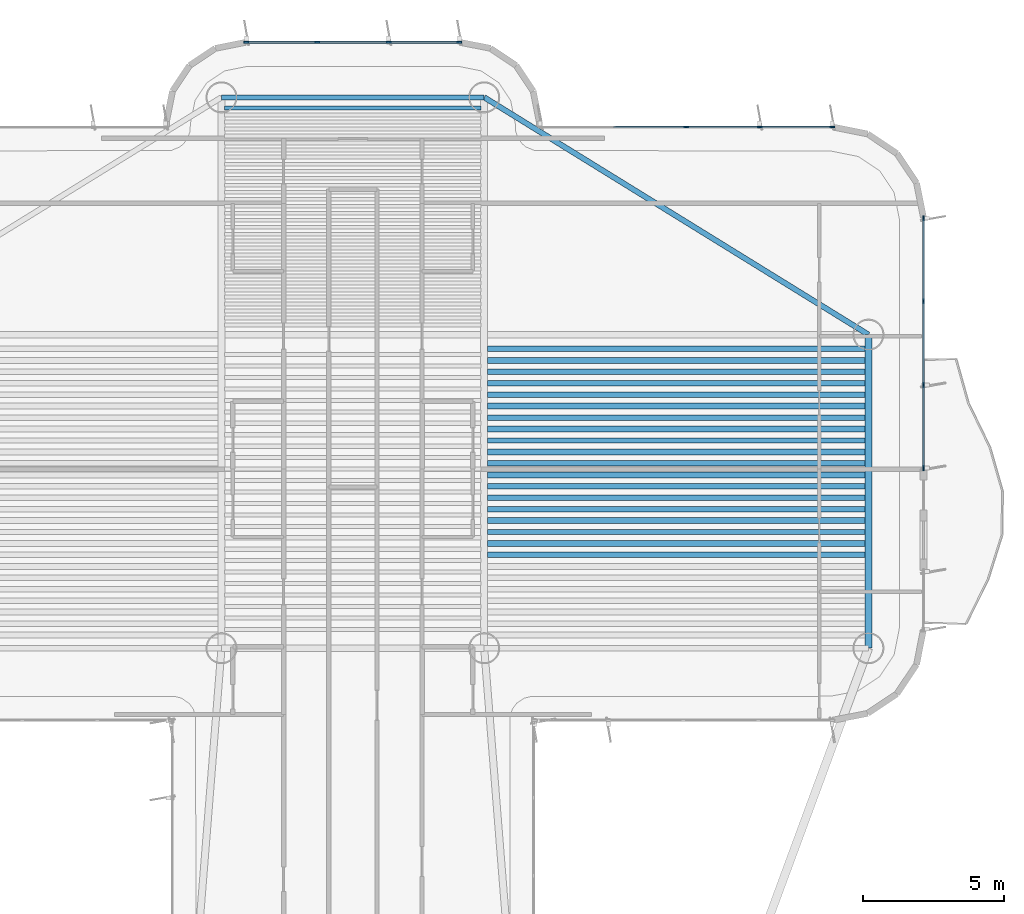
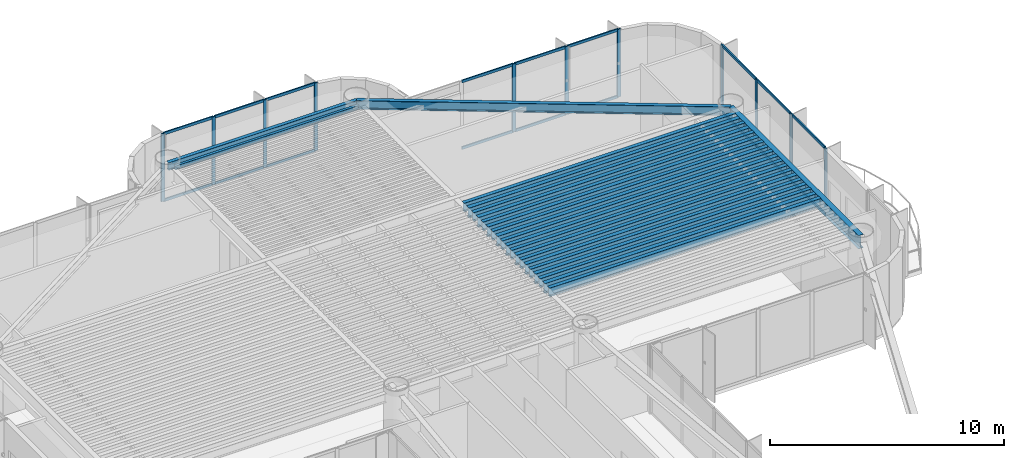
# One storey, part 7 of 15: 29 members, 23 beams, 3 elements without a shape of their own.
"""IFC4 building model written with IfcOpenShell, lengths in metres."""

from ifc_helpers import new_model, si_unit, direction, frame, origin, origin_2d, place, context, subcontext, project, spatial, rectangle, i_section, extrude, source, transform, mapped, material, layer, layer_set, material_profile, profile_set, type_object, element, aggregate, save


model = new_model("IFC4")

# Units and contexts
model_context = context("Model", 3, precision=1e-05, world=origin(), true_north=direction((0.0, 1.0)))
body_context = subcontext(model_context, "Body", "Model", "MODEL_VIEW")
ifc_project = project(units=[si_unit("LENGTHUNIT", "METRE"), si_unit("AREAUNIT", "SQUARE_METRE"), si_unit("VOLUMEUNIT", "CUBIC_METRE"), si_unit("PLANEANGLEUNIT", "RADIAN"), si_unit("MASSUNIT", "GRAM", prefix="KILO")], contexts=[model_context])

# Site, building, storey
site_placement = place(None, origin())
site = spatial("IfcSite", under=ifc_project, at=site_placement, CompositionType="ELEMENT")
building_placement = place(site_placement, origin())
building = spatial("IfcBuilding", under=site, at=building_placement, Name="Brelvock Crest Care Tower", CompositionType="ELEMENT")
storey_placement = place(building_placement, frame((0.0, 0.0, 163.97998046875)))
storey = spatial("IfcBuildingStorey", under=building, at=storey_placement, Name="L41", CompositionType="ELEMENT", Elevation=163.97998046875)

# Beams
ifc_material_1 = material(Name="Steel Grade 350", Category="steel")
ifc_material_profile_1 = material_profile(ifc_material_1, i_section(OverallWidth=0.177978515625, OverallDepth=0.406005859375, WebThickness=0.0078125, FlangeThickness=0.0126953125, FilletRadius=0.011474609375, at=origin_2d()), Name="410UB59.7")
ifc_profile_set_1 = profile_set([ifc_material_profile_1], Name="Steel Grade 350")
beam_type_1 = type_object("IfcBeamType", Name="BM-SP1", PredefinedType="SPANDREL", material=ifc_profile_set_1)
shared_shape_1 = source(origin(), body_context, "Body", "SweptSolid", [
    extrude(i_section(OverallWidth=0.177978515625, OverallDepth=0.406005859375, WebThickness=0.0078125, FlangeThickness=0.0126953125, FilletRadius=0.011474609375, at=origin_2d()), origin(), (0.0, 0.0, 1.0), 9.2998046875),
])
beam_1_placement = place(storey_placement, frame((31.35009765625, 54.449951171875, 3.326904296875), z_axis=(1.0, 0.0, 0.0), x_axis=(0.0, 1.0, 0.0)))
element("IfcBeam", 1, at=beam_1_placement, inside=storey, type_object=beam_type_1, Name="BM-TWR-L41-08", PredefinedType="SPANDREL", context=body_context, shape_type="MappedRepresentation", body=[
    mapped(shared_shape_1, transform((0.0, 0.0, 0.0), x_axis=(1.0, 0.0, 0.0), y_axis=(0.0, 1.0, 0.0), z_axis=(0.0, 0.0, 1.0), scale=1.0)),
])
ifc_material_profile_2 = material_profile(ifc_material_1, i_section(OverallWidth=0.134033203125, OverallDepth=0.20703125, WebThickness=0.00634765625, FlangeThickness=0.009521484375, FilletRadius=0.0087890625, at=origin_2d()), Name="200UB29.8")
ifc_profile_set_2 = profile_set([ifc_material_profile_2], Name="Steel Grade 350")
beam_type_2 = type_object("IfcBeamType", Name="BM-J4", PredefinedType="JOIST", material=ifc_profile_set_2)
shared_shape_2 = source(origin(), body_context, "Body", "SweptSolid", [
    extrude(i_section(OverallWidth=0.134033203125, OverallDepth=0.20703125, WebThickness=0.00634765625, FlangeThickness=0.009521484375, FilletRadius=0.0087890625, at=origin_2d()), origin(), (0.0, 0.0, 1.0), 9.06982421875),
])
beam_2_placement = place(storey_placement, frame((31.465087890625, 54.06787109375, 3.426513671875), z_axis=(1.0, 0.0, 0.0), x_axis=(0.0, 1.0, 0.0)))
element("IfcBeam", 2, at=beam_2_placement, inside=storey, type_object=beam_type_2, Name="BM-JN-L41-32", PredefinedType="JOIST", context=body_context, shape_type="MappedRepresentation", body=[
    mapped(shared_shape_2, transform((0.0, 0.0, 0.0), x_axis=(1.0, 0.0, 0.0), y_axis=(0.0, 1.0, 0.0), z_axis=(0.0, 0.0, 1.0), scale=1.0)),
])
ifc_material_profile_3 = material_profile(ifc_material_1, i_section(OverallWidth=0.208984375, OverallDepth=0.532958984375, WebThickness=0.01025390625, FlangeThickness=0.015625, FilletRadius=0.013916015625, at=origin_2d()), Name="530UB92.4")
ifc_profile_set_3 = profile_set([ifc_material_profile_3], Name="Steel Grade 350")
beam_type_3 = type_object("IfcBeamType", Name="BM-G2", PredefinedType="BEAM", material=ifc_profile_set_3)
shared_shape_3 = source(origin(), body_context, "Body", "SweptSolid", [
    extrude(i_section(OverallWidth=0.208984375, OverallDepth=0.532958984375, WebThickness=0.01025390625, FlangeThickness=0.015625, FilletRadius=0.013916015625, at=origin_2d()), origin(), (0.0, 0.0, 1.0), 13.3701171875),
])
for number, where, z_axis, x_axis, name in (
    (3, (40.764892578125, 38.657470703125, 3.263427734375), (1.0, 0.0, 0.0), (0.0, 1.0, 0.0), "BM-JE-L41-9"),
    (4, (40.764892578125, 39.4677734375, 3.263427734375), (1.0, 0.0, 0.0), (0.0, 1.0, 0.0), "BM-JE-L41-11"),
    (5, (40.764892578125, 40.278076171875, 3.263427734375), (1.0, 0.0, 0.0), (0.0, 1.0, 0.0), "BM-JE-L41-13"),
    (6, (40.764892578125, 41.08837890625, 3.263427734375), (1.0, 0.0, 0.0), (0.0, 1.0, 0.0), "BM-JE-L41-15"),
    (7, (40.764892578125, 41.898681640625, 3.263427734375), (1.0, 0.0, 0.0), (0.0, 1.0, 0.0), "BM-JE-L41-17"),
    (8, (40.764892578125, 42.708984375, 3.263427734375), (1.0, 0.0, 0.0), (0.0, 1.0, 0.0), "BM-JE-L41-19"),
    (9, (40.764892578125, 43.519287109375, 3.263427734375), (1.0, 0.0, 0.0), (0.0, 1.0, 0.0), "BM-JE-L41-21"),
    (10, (40.764892578125, 44.32958984375, 3.263427734375), (1.0, 0.0, 0.0), (0.0, 1.0, 0.0), "BM-JE-L41-23"),
    (11, (40.764892578125, 45.139892578125, 3.263427734375), (1.0, 0.0, 0.0), (0.0, 1.0, 0.0), "BM-JE-L41-25"),
):
    element("IfcBeam", number, at=place(storey_placement, frame(where, z_axis=z_axis, x_axis=x_axis)), inside=storey, type_object=beam_type_3, Name=name, PredefinedType="BEAM", context=body_context, shape_type="MappedRepresentation", body=[
        mapped(shared_shape_3, transform((0.0, 0.0, 0.0), x_axis=(1.0, 0.0, 0.0), y_axis=(0.0, 1.0, 0.0), z_axis=(0.0, 0.0, 1.0), scale=1.0)),
    ])
ifc_material_profile_4 = material_profile(ifc_material_1, i_section(OverallWidth=0.19091796875, OverallDepth=0.4599609375, WebThickness=0.010009765625, FlangeThickness=0.01611328125, FilletRadius=0.011474609375, at=origin_2d()), Name="460UB82.1")
ifc_profile_set_4 = profile_set([ifc_material_profile_4], Name="Steel Grade 350")
beam_type_4 = type_object("IfcBeamType", Name="BM-G3", PredefinedType="BEAM", material=ifc_profile_set_4)
shared_shape_4 = source(origin(), body_context, "Body", "SweptSolid", [
    extrude(i_section(OverallWidth=0.19091796875, OverallDepth=0.4599609375, WebThickness=0.010009765625, FlangeThickness=0.01611328125, FilletRadius=0.011474609375, at=origin_2d()), origin(), (0.0, 0.0, 1.0), 13.3701171875),
])
for number, where, z_axis, x_axis, name in (
    (12, (40.764892578125, 38.252197265625, 3.300048828125), (1.0, 0.0, 0.0), (0.0, 1.0, 0.0), "BM-JE-L41-8"),
    (13, (40.764892578125, 39.0625, 3.300048828125), (1.0, 0.0, 0.0), (0.0, 1.0, 0.0), "BM-JE-L41-10"),
    (14, (40.764892578125, 39.872802734375, 3.300048828125), (1.0, 0.0, 0.0), (0.0, 1.0, 0.0), "BM-JE-L41-12"),
    (15, (40.764892578125, 40.68310546875, 3.300048828125), (1.0, 0.0, 0.0), (0.0, 1.0, 0.0), "BM-JE-L41-14"),
    (16, (40.764892578125, 41.493408203125, 3.300048828125), (1.0, 0.0, 0.0), (0.0, 1.0, 0.0), "BM-JE-L41-16"),
    (17, (40.764892578125, 42.3037109375, 3.300048828125), (1.0, 0.0, 0.0), (0.0, 1.0, 0.0), "BM-JE-L41-18"),
    (18, (40.764892578125, 43.114013671875, 3.300048828125), (1.0, 0.0, 0.0), (0.0, 1.0, 0.0), "BM-JE-L41-20"),
    (19, (40.764892578125, 43.92431640625, 3.300048828125), (1.0, 0.0, 0.0), (0.0, 1.0, 0.0), "BM-JE-L41-22"),
    (20, (40.764892578125, 44.734619140625, 3.300048828125), (1.0, 0.0, 0.0), (0.0, 1.0, 0.0), "BM-JE-L41-24"),
    (21, (40.764892578125, 45.544921875, 3.300048828125), (1.0, 0.0, 0.0), (0.0, 1.0, 0.0), "BM-JE-L41-26"),
):
    element("IfcBeam", number, at=place(storey_placement, frame(where, z_axis=z_axis, x_axis=x_axis)), inside=storey, type_object=beam_type_4, Name=name, PredefinedType="BEAM", context=body_context, shape_type="MappedRepresentation", body=[
        mapped(shared_shape_4, transform((0.0, 0.0, 0.0), x_axis=(1.0, 0.0, 0.0), y_axis=(0.0, 1.0, 0.0), z_axis=(0.0, 0.0, 1.0), scale=1.0)),
    ])
ifc_material_profile_5 = material_profile(ifc_material_1, i_section(OverallWidth=0.25, OverallDepth=0.699951171875, WebThickness=0.011962890625, FlangeThickness=0.02001953125, at=origin_2d()), Name="700WB150")
ifc_profile_set_5 = profile_set([ifc_material_profile_5], Name="Steel Grade 350")
beam_type_5 = type_object("IfcBeamType", Name="BM-G4", PredefinedType="BEAM", material=ifc_profile_set_5)
shared_shape_5 = source(origin(), body_context, "Body", "SweptSolid", [
    extrude(i_section(OverallWidth=0.25, OverallDepth=0.699951171875, WebThickness=0.011962890625, FlangeThickness=0.02001953125, at=origin_2d()), origin(), (0.0, 0.0, 1.0), 11.10009765625),
])
beam_3_placement = place(storey_placement, frame((54.25, 34.949951171875, 3.179931640625), z_axis=(0.0, 1.0, 0.0), x_axis=(-1.0, 0.0, 0.0)))
element("IfcBeam", 22, at=beam_3_placement, inside=storey, type_object=beam_type_5, Name="BM-TWR-L41-02", PredefinedType="BEAM", context=body_context, shape_type="MappedRepresentation", body=[
    mapped(shared_shape_5, transform((0.0, 0.0, 0.0), x_axis=(1.0, 0.0, 0.0), y_axis=(0.0, 1.0, 0.0), z_axis=(0.0, 0.0, 1.0), scale=1.0)),
])
ifc_material_profile_6 = material_profile(ifc_material_1, i_section(OverallWidth=0.19091796875, OverallDepth=0.4599609375, WebThickness=0.010009765625, FlangeThickness=0.01611328125, FilletRadius=0.011474609375, at=origin_2d()), Name="460UB82.1")
ifc_profile_set_6 = profile_set([ifc_material_profile_6], Name="Steel Grade 350")
beam_type_6 = type_object("IfcBeamType", Name="BM-SP2", PredefinedType="SPANDREL", material=ifc_profile_set_6)
shared_shape_6 = source(origin(), body_context, "Body", "SweptSolid", [
    extrude(i_section(OverallWidth=0.19091796875, OverallDepth=0.4599609375, WebThickness=0.010009765625, FlangeThickness=0.01611328125, FilletRadius=0.011474609375, at=origin_2d()), origin(), (0.0, 0.0, 1.0), 15.985107421875),
])
beam_4_placement = place(storey_placement, frame((40.64990234375, 54.449951171875, 3.300048828125), z_axis=(0.850802415717, -0.525485727124, 0.0), x_axis=(0.525485727124, 0.850802415717, 0.0)))
element("IfcBeam", 23, at=beam_4_placement, inside=storey, type_object=beam_type_6, Name="BM-TWR-L41-07", PredefinedType="SPANDREL", context=body_context, shape_type="MappedRepresentation", body=[
    mapped(shared_shape_6, transform((0.0, 0.0, 0.0), x_axis=(1.0, 0.0, 0.0), y_axis=(0.0, 1.0, 0.0), z_axis=(0.0, 0.0, 1.0), scale=1.0)),
])

# Curtain wall, members
ifc_material_2 = material(Name="Dark Glass Double Glazed Low-E", Category="glass")
ifc_layer = layer(ifc_material_2, 0.22509765625, Name="CWS-4")
ifc_layer_set = layer_set([ifc_layer], Name="Dark Glass Double Glazed Low-E")
curtain_wall_type = type_object("IfcCurtainWallType", Name="CWS-4", PredefinedType="NOTDEFINED", material=ifc_layer_set)
curtain_wall_1_placement = place(storey_placement, origin())
curtain_wall_1 = element("IfcCurtainWall", 24, at=curtain_wall_1_placement, inside=storey, type_object=curtain_wall_type, Name="L41 Curtain Wall E28", PredefinedType="NOTDEFINED")
ifc_material_3 = material(Name="Aluminium 6063-T6", Category="aluminium")
ifc_material_profile_7 = material_profile(ifc_material_3, rectangle(XDim=0.06005859375, YDim=0.179931640625, at=origin_2d()), Name="ALU60x180")
ifc_profile_set_7 = profile_set([ifc_material_profile_7], Name="Aluminium 6063-T6")
member_type_1 = type_object("IfcMemberType", Name="CWM-2", PredefinedType="MULLION", material=ifc_profile_set_7)
shared_shape_7 = source(origin(), body_context, "Body", "SweptSolid", [
    extrude(rectangle(XDim=0.06005859375, YDim=0.179931640625, at=origin_2d()), origin(), (0.0, 0.0, 1.0), 3.530029296875),
])
member_1_placement = place(storey_placement, frame((32.22998046875, 56.39990234375, 0.0), z_axis=(0.0, 0.0, 1.0), x_axis=(0.0, 1.0, 0.0)))
member_1 = element("IfcMember", 25, at=member_1_placement, type_object=member_type_1, Name="CW-4 mullion 1", PredefinedType="MULLION", context=body_context, shape_type="MappedRepresentation", body=[
    mapped(shared_shape_7, transform((0.0, 0.0, 0.0), x_axis=(1.0, 0.0, 0.0), y_axis=(0.0, 1.0, 0.0), z_axis=(0.0, 0.0, 1.0), scale=1.0)),
])
member_2_placement = place(storey_placement, frame((34.7333984375, 56.39990234375, 0.0), z_axis=(0.0, 0.0, 1.0), x_axis=(0.0, 1.0, 0.0)))
member_2 = element("IfcMember", 26, at=member_2_placement, type_object=member_type_1, Name="CW-4 mullion 2", PredefinedType="MULLION", context=body_context, shape_type="MappedRepresentation", body=[
    mapped(shared_shape_7, transform((0.0, 0.0, 0.0), x_axis=(1.0, 0.0, 0.0), y_axis=(0.0, 1.0, 0.0), z_axis=(0.0, 0.0, 1.0), scale=1.0)),
])
member_3_placement = place(storey_placement, frame((37.2666015625, 56.39990234375, 0.0), z_axis=(0.0, 0.0, 1.0), x_axis=(0.0, 1.0, 0.0)))
member_3 = element("IfcMember", 27, at=member_3_placement, type_object=member_type_1, Name="CW-4 mullion 3", PredefinedType="MULLION", context=body_context, shape_type="MappedRepresentation", body=[
    mapped(shared_shape_7, transform((0.0, 0.0, 0.0), x_axis=(1.0, 0.0, 0.0), y_axis=(0.0, 1.0, 0.0), z_axis=(0.0, 0.0, 1.0), scale=1.0)),
])
member_4_placement = place(storey_placement, frame((39.77001953125, 56.39990234375, 0.0), z_axis=(0.0, 0.0, 1.0), x_axis=(0.0, 1.0, 0.0)))
member_4 = element("IfcMember", 28, at=member_4_placement, type_object=member_type_1, Name="CW-4 mullion 4", PredefinedType="MULLION", context=body_context, shape_type="MappedRepresentation", body=[
    mapped(shared_shape_7, transform((0.0, 0.0, 0.0), x_axis=(1.0, 0.0, 0.0), y_axis=(0.0, 1.0, 0.0), z_axis=(0.0, 0.0, 1.0), scale=1.0)),
])

curtain_wall_2_placement = place(storey_placement, origin())
curtain_wall_2 = element("IfcCurtainWall", 29, at=curtain_wall_2_placement, inside=storey, type_object=curtain_wall_type, Name="L41 Curtain Wall E34", PredefinedType="NOTDEFINED")
member_5_placement = place(storey_placement, frame((47.800048828125, 53.39990234375, 0.0), z_axis=(0.0, 0.0, 1.0), x_axis=(0.0, 1.0, 0.0)))
member_5 = element("IfcMember", 30, at=member_5_placement, type_object=member_type_1, Name="CW-4 mullion 3", PredefinedType="MULLION", context=body_context, shape_type="MappedRepresentation", body=[
    mapped(shared_shape_7, transform((0.0, 0.0, 0.0), x_axis=(1.0, 0.0, 0.0), y_axis=(0.0, 1.0, 0.0), z_axis=(0.0, 0.0, 1.0), scale=1.0)),
])
member_6_placement = place(storey_placement, frame((50.39990234375, 53.39990234375, 0.0), z_axis=(0.0, 0.0, 1.0), x_axis=(0.0, 1.0, 0.0)))
member_6 = element("IfcMember", 31, at=member_6_placement, type_object=member_type_1, Name="CW-4 mullion 4", PredefinedType="MULLION", context=body_context, shape_type="MappedRepresentation", body=[
    mapped(shared_shape_7, transform((0.0, 0.0, 0.0), x_axis=(1.0, 0.0, 0.0), y_axis=(0.0, 1.0, 0.0), z_axis=(0.0, 0.0, 1.0), scale=1.0)),
])
member_7_placement = place(storey_placement, frame((52.969970703125, 53.39990234375, 0.0), z_axis=(0.0, 0.0, 1.0), x_axis=(0.0, 1.0, 0.0)))
member_7 = element("IfcMember", 32, at=member_7_placement, type_object=member_type_1, Name="CW-4 mullion 5", PredefinedType="MULLION", context=body_context, shape_type="MappedRepresentation", body=[
    mapped(shared_shape_7, transform((0.0, 0.0, 0.0), x_axis=(1.0, 0.0, 0.0), y_axis=(0.0, 1.0, 0.0), z_axis=(0.0, 0.0, 1.0), scale=1.0)),
])

curtain_wall_3_placement = place(storey_placement, origin())
curtain_wall_3 = element("IfcCurtainWall", 33, at=curtain_wall_3_placement, inside=storey, type_object=curtain_wall_type, Name="L41 Curtain Wall E39A", PredefinedType="NOTDEFINED")
member_8_placement = place(storey_placement, frame((56.199951171875, 50.169921875, 0.0), z_axis=(0.0, 0.0, 1.0), x_axis=(1.0, 0.0, 0.0)))
member_8 = element("IfcMember", 34, at=member_8_placement, type_object=member_type_1, Name="CW-4 mullion 1", PredefinedType="MULLION", context=body_context, shape_type="MappedRepresentation", body=[
    mapped(shared_shape_7, transform((0.0, 0.0, 0.0), x_axis=(1.0, 0.0, 0.0), y_axis=(0.0, 1.0, 0.0), z_axis=(0.0, 0.0, 1.0), scale=1.0)),
])
member_9_placement = place(storey_placement, frame((56.199951171875, 47.2333984375, 0.0), z_axis=(0.0, 0.0, 1.0), x_axis=(1.0, 0.0, 0.0)))
member_9 = element("IfcMember", 35, at=member_9_placement, type_object=member_type_1, Name="CW-4 mullion 2", PredefinedType="MULLION", context=body_context, shape_type="MappedRepresentation", body=[
    mapped(shared_shape_7, transform((0.0, 0.0, 0.0), x_axis=(1.0, 0.0, 0.0), y_axis=(0.0, 1.0, 0.0), z_axis=(0.0, 0.0, 1.0), scale=1.0)),
])
member_10_placement = place(storey_placement, frame((56.199951171875, 44.2666015625, 0.0), z_axis=(0.0, 0.0, 1.0), x_axis=(1.0, 0.0, 0.0)))
member_10 = element("IfcMember", 36, at=member_10_placement, type_object=member_type_1, Name="CW-4 mullion 3", PredefinedType="MULLION", context=body_context, shape_type="MappedRepresentation", body=[
    mapped(shared_shape_7, transform((0.0, 0.0, 0.0), x_axis=(1.0, 0.0, 0.0), y_axis=(0.0, 1.0, 0.0), z_axis=(0.0, 0.0, 1.0), scale=1.0)),
])
member_11_placement = place(storey_placement, frame((56.199951171875, 41.330078125, 0.0), z_axis=(0.0, 0.0, 1.0), x_axis=(1.0, 0.0, 0.0)))
member_11 = element("IfcMember", 37, at=member_11_placement, type_object=member_type_1, Name="CW-4 mullion 4", PredefinedType="MULLION", context=body_context, shape_type="MappedRepresentation", body=[
    mapped(shared_shape_7, transform((0.0, 0.0, 0.0), x_axis=(1.0, 0.0, 0.0), y_axis=(0.0, 1.0, 0.0), z_axis=(0.0, 0.0, 1.0), scale=1.0)),
])

# Member
ifc_material_profile_8 = material_profile(ifc_material_3, rectangle(XDim=0.06005859375, YDim=0.139892578125, at=origin_2d()), Name="ALU60x140")
ifc_profile_set_8 = profile_set([ifc_material_profile_8], Name="Aluminium 6063-T6")
member_type_2 = type_object("IfcMemberType", Name="CWT-2", PredefinedType="USERDEFINED", material=ifc_profile_set_8)
shared_shape_8 = source(origin(), body_context, "Body", "SweptSolid", [
    extrude(rectangle(XDim=0.06005859375, YDim=0.139892578125, at=origin_2d()), origin(), (0.0, 0.0, 1.0), 2.443359375),
])
member_12_placement = place(storey_placement, frame((32.260009765625, 56.39990234375, 0.030029296875), z_axis=(1.0, 0.0, 0.0), x_axis=(0.0, 1.0, 0.0)))
member_12 = element("IfcMember", 38, at=member_12_placement, type_object=member_type_2, Name="CW-4 transom 1.1", ObjectType="TRANSOM", PredefinedType="USERDEFINED", context=body_context, shape_type="MappedRepresentation", body=[
    mapped(shared_shape_8, transform((0.0, 0.0, 0.0), x_axis=(1.0, 0.0, 0.0), y_axis=(0.0, 1.0, 0.0), z_axis=(0.0, 0.0, 1.0), scale=1.0)),
])

member_13_placement = place(storey_placement, frame((32.260009765625, 56.39990234375, 3.5), z_axis=(1.0, 0.0, 0.0), x_axis=(0.0, 1.0, 0.0)))
member_13 = element("IfcMember", 39, at=member_13_placement, type_object=member_type_2, Name="CW-4 transom 1.2", ObjectType="TRANSOM", PredefinedType="USERDEFINED", context=body_context, shape_type="MappedRepresentation", body=[
    mapped(shared_shape_8, transform((0.0, 0.0, 0.0), x_axis=(1.0, 0.0, 0.0), y_axis=(0.0, 1.0, 0.0), z_axis=(0.0, 0.0, 1.0), scale=1.0)),
])

member_14_placement = place(storey_placement, frame((37.296630859375, 56.39990234375, 0.030029296875), z_axis=(1.0, 0.0, 0.0), x_axis=(0.0, 1.0, 0.0)))
member_14 = element("IfcMember", 40, at=member_14_placement, type_object=member_type_2, Name="CW-4 transom 3.1", ObjectType="TRANSOM", PredefinedType="USERDEFINED", context=body_context, shape_type="MappedRepresentation", body=[
    mapped(shared_shape_8, transform((0.0, 0.0, 0.0), x_axis=(1.0, 0.0, 0.0), y_axis=(0.0, 1.0, 0.0), z_axis=(0.0, 0.0, 1.0), scale=1.0)),
])

member_15_placement = place(storey_placement, frame((37.296630859375, 56.39990234375, 3.5), z_axis=(1.0, 0.0, 0.0), x_axis=(0.0, 1.0, 0.0)))
member_15 = element("IfcMember", 41, at=member_15_placement, type_object=member_type_2, Name="CW-4 transom 3.2", ObjectType="TRANSOM", PredefinedType="USERDEFINED", context=body_context, shape_type="MappedRepresentation", body=[
    mapped(shared_shape_8, transform((0.0, 0.0, 0.0), x_axis=(1.0, 0.0, 0.0), y_axis=(0.0, 1.0, 0.0), z_axis=(0.0, 0.0, 1.0), scale=1.0)),
])

shared_shape_9 = source(origin(), body_context, "Body", "SweptSolid", [
    extrude(rectangle(XDim=0.06005859375, YDim=0.139892578125, at=origin_2d()), origin(), (0.0, 0.0, 1.0), 2.47314453125),
])
member_16_placement = place(storey_placement, frame((34.763427734375, 56.39990234375, 0.030029296875), z_axis=(1.0, 0.0, 0.0), x_axis=(0.0, 1.0, 0.0)))
member_16 = element("IfcMember", 42, at=member_16_placement, type_object=member_type_2, Name="CW-4 transom 2.1", ObjectType="TRANSOM", PredefinedType="USERDEFINED", context=body_context, shape_type="MappedRepresentation", body=[
    mapped(shared_shape_9, transform((0.0, 0.0, 0.0), x_axis=(1.0, 0.0, 0.0), y_axis=(0.0, 1.0, 0.0), z_axis=(0.0, 0.0, 1.0), scale=1.0)),
])

member_17_placement = place(storey_placement, frame((34.763427734375, 56.39990234375, 3.5), z_axis=(1.0, 0.0, 0.0), x_axis=(0.0, 1.0, 0.0)))
member_17 = element("IfcMember", 43, at=member_17_placement, type_object=member_type_2, Name="CW-4 transom 2.2", ObjectType="TRANSOM", PredefinedType="USERDEFINED", context=body_context, shape_type="MappedRepresentation", body=[
    mapped(shared_shape_9, transform((0.0, 0.0, 0.0), x_axis=(1.0, 0.0, 0.0), y_axis=(0.0, 1.0, 0.0), z_axis=(0.0, 0.0, 1.0), scale=1.0)),
])

aggregate(curtain_wall_1, [member_1, member_2, member_3, member_4, member_12, member_13, member_16, member_17, member_14, member_15])

shared_shape_10 = source(origin(), body_context, "Body", "SweptSolid", [
    extrude(rectangle(XDim=0.06005859375, YDim=0.139892578125, at=origin_2d()), origin(), (0.0, 0.0, 1.0), 2.87646484375),
])
member_18_placement = place(storey_placement, frame((56.199951171875, 50.139892578125, 0.030029296875), z_axis=(0.0, -1.0, 0.0), x_axis=(1.0, 0.0, 0.0)))
member_18 = element("IfcMember", 44, at=member_18_placement, type_object=member_type_2, Name="CW-4 transom 1.1", ObjectType="TRANSOM", PredefinedType="USERDEFINED", context=body_context, shape_type="MappedRepresentation", body=[
    mapped(shared_shape_10, transform((0.0, 0.0, 0.0), x_axis=(1.0, 0.0, 0.0), y_axis=(0.0, 1.0, 0.0), z_axis=(0.0, 0.0, 1.0), scale=1.0)),
])

member_19_placement = place(storey_placement, frame((56.199951171875, 50.139892578125, 3.5), z_axis=(0.0, -1.0, 0.0), x_axis=(1.0, 0.0, 0.0)))
member_19 = element("IfcMember", 45, at=member_19_placement, type_object=member_type_2, Name="CW-4 transom 1.2", ObjectType="TRANSOM", PredefinedType="USERDEFINED", context=body_context, shape_type="MappedRepresentation", body=[
    mapped(shared_shape_10, transform((0.0, 0.0, 0.0), x_axis=(1.0, 0.0, 0.0), y_axis=(0.0, 1.0, 0.0), z_axis=(0.0, 0.0, 1.0), scale=1.0)),
])

member_20_placement = place(storey_placement, frame((56.199951171875, 44.236572265625, 0.030029296875), z_axis=(0.0, -1.0, 0.0), x_axis=(1.0, 0.0, 0.0)))
member_20 = element("IfcMember", 46, at=member_20_placement, type_object=member_type_2, Name="CW-4 transom 3.1", ObjectType="TRANSOM", PredefinedType="USERDEFINED", context=body_context, shape_type="MappedRepresentation", body=[
    mapped(shared_shape_10, transform((0.0, 0.0, 0.0), x_axis=(1.0, 0.0, 0.0), y_axis=(0.0, 1.0, 0.0), z_axis=(0.0, 0.0, 1.0), scale=1.0)),
])

member_21_placement = place(storey_placement, frame((56.199951171875, 44.236572265625, 3.5), z_axis=(0.0, -1.0, 0.0), x_axis=(1.0, 0.0, 0.0)))
member_21 = element("IfcMember", 47, at=member_21_placement, type_object=member_type_2, Name="CW-4 transom 3.2", ObjectType="TRANSOM", PredefinedType="USERDEFINED", context=body_context, shape_type="MappedRepresentation", body=[
    mapped(shared_shape_10, transform((0.0, 0.0, 0.0), x_axis=(1.0, 0.0, 0.0), y_axis=(0.0, 1.0, 0.0), z_axis=(0.0, 0.0, 1.0), scale=1.0)),
])

shared_shape_11 = source(origin(), body_context, "Body", "SweptSolid", [
    extrude(rectangle(XDim=0.06005859375, YDim=0.139892578125, at=origin_2d()), origin(), (0.0, 0.0, 1.0), 2.90673828125),
])
member_22_placement = place(storey_placement, frame((56.199951171875, 47.203369140625, 0.030029296875), z_axis=(0.0, -1.0, 0.0), x_axis=(1.0, 0.0, 0.0)))
member_22 = element("IfcMember", 48, at=member_22_placement, type_object=member_type_2, Name="CW-4 transom 2.1", ObjectType="TRANSOM", PredefinedType="USERDEFINED", context=body_context, shape_type="MappedRepresentation", body=[
    mapped(shared_shape_11, transform((0.0, 0.0, 0.0), x_axis=(1.0, 0.0, 0.0), y_axis=(0.0, 1.0, 0.0), z_axis=(0.0, 0.0, 1.0), scale=1.0)),
])

member_23_placement = place(storey_placement, frame((56.199951171875, 47.203369140625, 3.5), z_axis=(0.0, -1.0, 0.0), x_axis=(1.0, 0.0, 0.0)))
member_23 = element("IfcMember", 49, at=member_23_placement, type_object=member_type_2, Name="CW-4 transom 2.2", ObjectType="TRANSOM", PredefinedType="USERDEFINED", context=body_context, shape_type="MappedRepresentation", body=[
    mapped(shared_shape_11, transform((0.0, 0.0, 0.0), x_axis=(1.0, 0.0, 0.0), y_axis=(0.0, 1.0, 0.0), z_axis=(0.0, 0.0, 1.0), scale=1.0)),
])

aggregate(curtain_wall_3, [member_8, member_9, member_10, member_11, member_18, member_19, member_22, member_23, member_20, member_21])

shared_shape_12 = source(origin(), body_context, "Body", "SweptSolid", [
    extrude(rectangle(XDim=0.06005859375, YDim=0.139892578125, at=origin_2d()), origin(), (0.0, 0.0, 1.0), 2.510009765625),
])
member_24_placement = place(storey_placement, frame((50.429931640625, 53.39990234375, 0.030029296875), z_axis=(1.0, 0.0, 0.0), x_axis=(0.0, 1.0, 0.0)))
member_24 = element("IfcMember", 50, at=member_24_placement, type_object=member_type_2, Name="CW-4 transom 4.1", ObjectType="TRANSOM", PredefinedType="USERDEFINED", context=body_context, shape_type="MappedRepresentation", body=[
    mapped(shared_shape_12, transform((0.0, 0.0, 0.0), x_axis=(1.0, 0.0, 0.0), y_axis=(0.0, 1.0, 0.0), z_axis=(0.0, 0.0, 1.0), scale=1.0)),
])

member_25_placement = place(storey_placement, frame((50.429931640625, 53.39990234375, 3.5), z_axis=(1.0, 0.0, 0.0), x_axis=(0.0, 1.0, 0.0)))
member_25 = element("IfcMember", 51, at=member_25_placement, type_object=member_type_2, Name="CW-4 transom 4.2", ObjectType="TRANSOM", PredefinedType="USERDEFINED", context=body_context, shape_type="MappedRepresentation", body=[
    mapped(shared_shape_12, transform((0.0, 0.0, 0.0), x_axis=(1.0, 0.0, 0.0), y_axis=(0.0, 1.0, 0.0), z_axis=(0.0, 0.0, 1.0), scale=1.0)),
])

shared_shape_13 = source(origin(), body_context, "Body", "SweptSolid", [
    extrude(rectangle(XDim=0.06005859375, YDim=0.139892578125, at=origin_2d()), origin(), (0.0, 0.0, 1.0), 2.5400390625),
])
member_26_placement = place(storey_placement, frame((45.22998046875, 53.39990234375, 0.030029296875), z_axis=(1.0, 0.0, 0.0), x_axis=(0.0, 1.0, 0.0)))
member_26 = element("IfcMember", 52, at=member_26_placement, type_object=member_type_2, Name="CW-4 transom 2.1", ObjectType="TRANSOM", PredefinedType="USERDEFINED", context=body_context, shape_type="MappedRepresentation", body=[
    mapped(shared_shape_13, transform((0.0, 0.0, 0.0), x_axis=(1.0, 0.0, 0.0), y_axis=(0.0, 1.0, 0.0), z_axis=(0.0, 0.0, 1.0), scale=1.0)),
])

member_27_placement = place(storey_placement, frame((45.22998046875, 53.39990234375, 3.5), z_axis=(1.0, 0.0, 0.0), x_axis=(0.0, 1.0, 0.0)))
member_27 = element("IfcMember", 53, at=member_27_placement, type_object=member_type_2, Name="CW-4 transom 2.2", ObjectType="TRANSOM", PredefinedType="USERDEFINED", context=body_context, shape_type="MappedRepresentation", body=[
    mapped(shared_shape_13, transform((0.0, 0.0, 0.0), x_axis=(1.0, 0.0, 0.0), y_axis=(0.0, 1.0, 0.0), z_axis=(0.0, 0.0, 1.0), scale=1.0)),
])

member_28_placement = place(storey_placement, frame((47.830078125, 53.39990234375, 0.030029296875), z_axis=(1.0, 0.0, 0.0), x_axis=(0.0, 1.0, 0.0)))
member_28 = element("IfcMember", 54, at=member_28_placement, type_object=member_type_2, Name="CW-4 transom 3.1", ObjectType="TRANSOM", PredefinedType="USERDEFINED", context=body_context, shape_type="MappedRepresentation", body=[
    mapped(shared_shape_13, transform((0.0, 0.0, 0.0), x_axis=(1.0, 0.0, 0.0), y_axis=(0.0, 1.0, 0.0), z_axis=(0.0, 0.0, 1.0), scale=1.0)),
])

member_29_placement = place(storey_placement, frame((47.830078125, 53.39990234375, 3.5), z_axis=(1.0, 0.0, 0.0), x_axis=(0.0, 1.0, 0.0)))
member_29 = element("IfcMember", 55, at=member_29_placement, type_object=member_type_2, Name="CW-4 transom 3.2", ObjectType="TRANSOM", PredefinedType="USERDEFINED", context=body_context, shape_type="MappedRepresentation", body=[
    mapped(shared_shape_13, transform((0.0, 0.0, 0.0), x_axis=(1.0, 0.0, 0.0), y_axis=(0.0, 1.0, 0.0), z_axis=(0.0, 0.0, 1.0), scale=1.0)),
])

aggregate(curtain_wall_2, [member_5, member_6, member_7, member_26, member_27, member_28, member_29, member_24, member_25])

save(model, "model.ifc")
